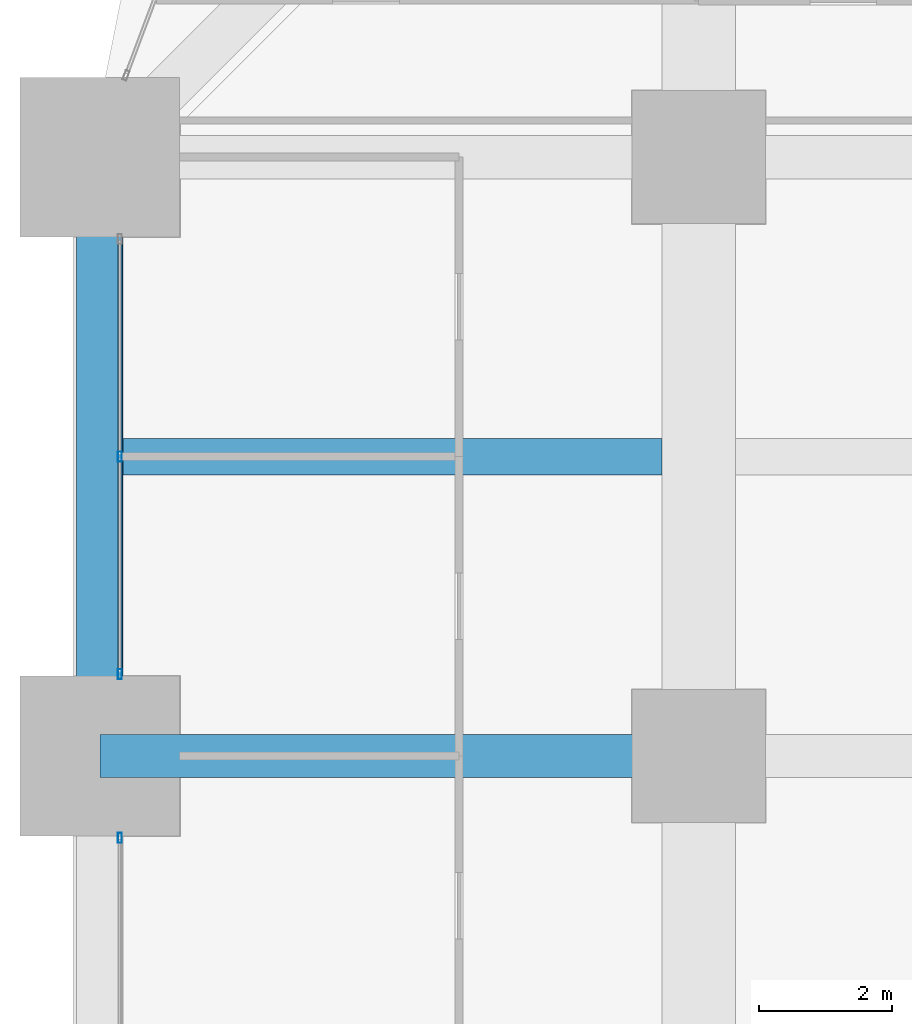
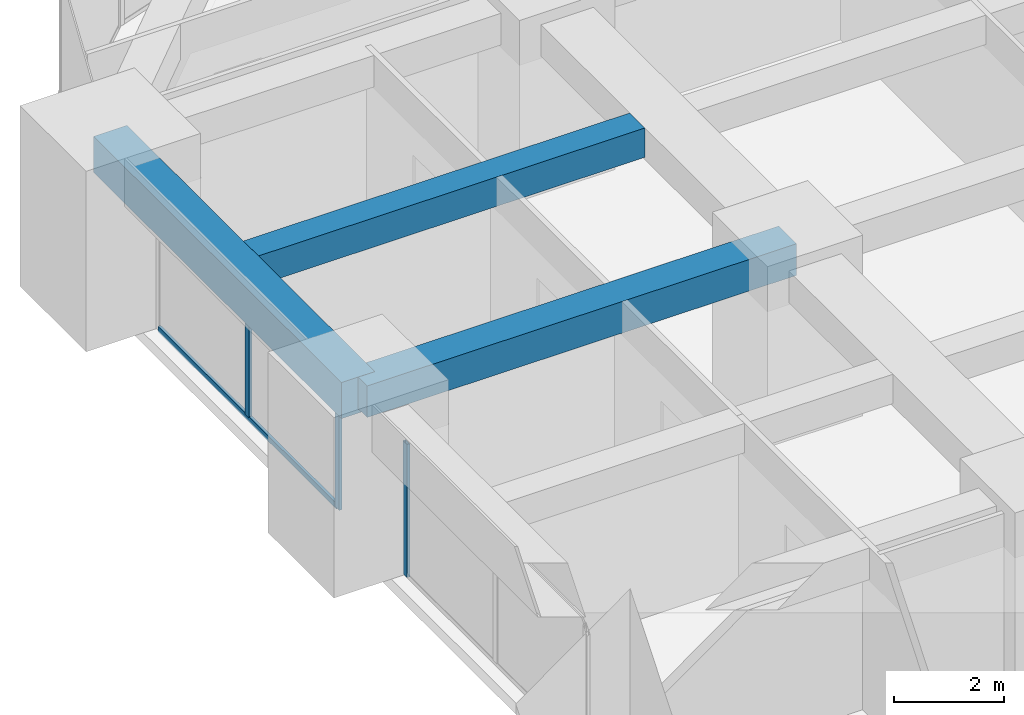
# One storey, part 11 of 41: 4 members, 3 beams, 2 elements without a shape of their own.
"""IFC4 building model written with IfcOpenShell, lengths in metres."""

from ifc_helpers import new_model, si_unit, direction, frame, origin, origin_2d, place, context, subcontext, project, spatial, rectangle, hollow_rectangle, extrude, material, material_profile, profile_set, type_object, element, aggregate, save


model = new_model("IFC4")

# Units and contexts
model_context = context("Model", 3, precision=1e-05, world=origin(), true_north=direction((0.0, 1.0)))
body_context = subcontext(model_context, "Body", "Model", "MODEL_VIEW")
ifc_project = project(units=[si_unit("LENGTHUNIT", "METRE"), si_unit("AREAUNIT", "SQUARE_METRE"), si_unit("VOLUMEUNIT", "CUBIC_METRE"), si_unit("PLANEANGLEUNIT", "RADIAN"), si_unit("MASSUNIT", "GRAM", prefix="KILO")], contexts=[model_context])

# Site, building, storey
site_placement = place(None, origin())
site = spatial("IfcSite", under=ifc_project, at=site_placement, CompositionType="ELEMENT")
building_placement = place(site_placement, origin())
building = spatial("IfcBuilding", under=site, at=building_placement, Name="Zorevar Civic Tower", CompositionType="ELEMENT")
storey_placement = place(building_placement, frame((0.0, 0.0, 109.0)))
storey = spatial("IfcBuildingStorey", under=building, at=storey_placement, Name="L26", CompositionType="ELEMENT", Elevation=109.0)

# Beams
ifc_material_1 = material(Name="Concrete C50/60", Category="concrete")
ifc_material_profile_1 = material_profile(ifc_material_1, rectangle(XDim=0.550048828125, YDim=0.64990234375, at=origin_2d()), Name="RC 550x650")
ifc_profile_set_1 = profile_set([ifc_material_profile_1], Name="Concrete C50/60")
beam_type_1 = type_object("IfcBeamType", Name="Beam RC 550x650", PredefinedType="BEAM", material=ifc_profile_set_1)
beam_1_placement = place(storey_placement, frame((0.35009765625, 31.5, 3.425048828125), z_axis=(1.0, 0.0, 0.0), x_axis=(0.0, 1.0, 0.0)))
element("IfcBeam", 1, at=beam_1_placement, inside=storey, type_object=beam_type_1, Name="Secondary beam L27", PredefinedType="BEAM", context=body_context, shape_type="SweptSolid", body=[
    extrude(rectangle(XDim=0.550048828125, YDim=0.64990234375, at=origin_2d()), origin(), (0.0, 0.0, 1.0), 8.099853515625),
])
ifc_material_2 = material(Name="Concrete C50/60", Category="concrete")
ifc_material_profile_2 = material_profile(ifc_material_2, rectangle(XDim=0.64990234375, YDim=0.699951171875, at=origin_2d()), Name="RC 650x700")
ifc_profile_set_2 = profile_set([ifc_material_profile_2], Name="Concrete C50/60")
beam_type_2 = type_object("IfcBeamType", Name="Beam RC 650x700", PredefinedType="BEAM", material=ifc_profile_set_2)
beam_2_placement = place(storey_placement, frame((0.0, 27.0, 3.39990234375), z_axis=(1.0, 0.0, 0.0), x_axis=(0.0, 1.0, 0.0)))
element("IfcBeam", 2, at=beam_2_placement, inside=storey, type_object=beam_type_2, Name="Girder L27", PredefinedType="BEAM", context=body_context, shape_type="SweptSolid", body=[
    extrude(rectangle(XDim=0.64990234375, YDim=0.699951171875, at=origin_2d()), origin(), (0.0, 0.0, 1.0), 9.0),
])

# Curtain wall, member
ifc_material_3 = material(Name="Dark grey solar-control glass in black aluminium frame", Category="aluminium")
curtain_wall_type = type_object("IfcCurtainWallType", Name="Curtain wall CW3 mid zone", PredefinedType="NOTDEFINED", material=ifc_material_3)
curtain_wall_1_placement = place(storey_placement, origin())
curtain_wall_1 = element("IfcCurtainWall", 3, at=curtain_wall_1_placement, inside=storey, type_object=curtain_wall_type, Name="CW3 L26", PredefinedType="NOTDEFINED")
ifc_material_4 = material(Name="Aluminium, black anodised", Category="aluminium")
ifc_material_profile_3 = material_profile(ifc_material_4, hollow_rectangle(XDim=0.06005859375, YDim=0.14990234375, WallThickness=0.00390625, at=origin_2d()), Name="AL 150x60x4")
ifc_profile_set_3 = profile_set([ifc_material_profile_3], Name="Aluminium, black anodised")
member_type_1 = type_object("IfcMemberType", Name="CW3 mullion AL 150x60x4", PredefinedType="MULLION", material=ifc_profile_set_3)
member_1_placement = place(storey_placement, frame((0.300048828125, 25.77001953125, 0.0), z_axis=(0.0, 0.0, 1.0), x_axis=(-1.0, 0.0, 0.0)))
member_1 = element("IfcMember", 4, at=member_1_placement, type_object=member_type_1, Name="CW3 mullion 3", PredefinedType="MULLION", context=body_context, shape_type="SweptSolid", body=[
    extrude(hollow_rectangle(XDim=0.06005859375, YDim=0.14990234375, WallThickness=0.00390625, at=origin_2d()), origin(), (0.0, 0.0, 1.0), 2.949951171875),
])
aggregate(curtain_wall_1, [member_1])

# Curtain wall, members
curtain_wall_2_placement = place(storey_placement, origin())
curtain_wall_2 = element("IfcCurtainWall", 5, at=curtain_wall_2_placement, inside=storey, type_object=curtain_wall_type, Name="CW3 L26", PredefinedType="NOTDEFINED")
member_2_placement = place(storey_placement, frame((0.300048828125, 28.22998046875, 0.0), z_axis=(0.0, 0.0, 1.0), x_axis=(-1.0, 0.0, 0.0)))
member_2 = element("IfcMember", 6, at=member_2_placement, type_object=member_type_1, Name="CW3 mullion 1", PredefinedType="MULLION", context=body_context, shape_type="SweptSolid", body=[
    extrude(hollow_rectangle(XDim=0.06005859375, YDim=0.14990234375, WallThickness=0.00390625, at=origin_2d()), origin(), (0.0, 0.0, 1.0), 2.949951171875),
])
member_3_placement = place(storey_placement, frame((0.300048828125, 31.5, 0.06005859375), z_axis=(0.0, 0.0, 1.0), x_axis=(-1.0, 0.0, 0.0)))
member_3 = element("IfcMember", 7, at=member_3_placement, type_object=member_type_1, Name="CW3 mullion 2", PredefinedType="MULLION", context=body_context, shape_type="SweptSolid", body=[
    extrude(hollow_rectangle(XDim=0.06005859375, YDim=0.14990234375, WallThickness=0.00390625, at=origin_2d()), origin(), (0.0, 0.0, 1.0), 2.889892578125),
])
ifc_material_5 = material(Name="Aluminium, black anodised", Category="aluminium")
ifc_material_profile_4 = material_profile(ifc_material_5, hollow_rectangle(XDim=0.06005859375, YDim=0.1201171875, WallThickness=0.0029296875, at=origin_2d()), Name="AL 120x60x3")
ifc_profile_set_4 = profile_set([ifc_material_profile_4], Name="Aluminium, black anodised")
member_type_2 = type_object("IfcMemberType", Name="CW3 transom AL 120x60x3", PredefinedType="USERDEFINED", material=ifc_profile_set_4)
member_4_placement = place(storey_placement, frame((0.300048828125, 28.260009765625, 0.030029296875), z_axis=(0.0, 1.0, 0.0), x_axis=(-1.0, 0.0, 0.0)))
member_4 = element("IfcMember", 8, at=member_4_placement, type_object=member_type_2, Name="CW3 sill transom", ObjectType="TRANSOM", PredefinedType="USERDEFINED", context=body_context, shape_type="SweptSolid", body=[
    extrude(hollow_rectangle(XDim=0.06005859375, YDim=0.1201171875, WallThickness=0.0029296875, at=origin_2d()), origin(), (0.0, 0.0, 1.0), 6.47998046875),
])
aggregate(curtain_wall_2, [member_2, member_3, member_4])

# Beam
ifc_material_6 = material(Name="Concrete C50/60", Category="concrete")
ifc_material_profile_5 = material_profile(ifc_material_6, rectangle(XDim=0.699951171875, YDim=0.800048828125, at=origin_2d()), Name="RC 700x800")
ifc_profile_set_5 = profile_set([ifc_material_profile_5], Name="Concrete C50/60")
beam_type_3 = type_object("IfcBeamType", Name="Edge beam RC 700x800", PredefinedType="SPANDREL", material=ifc_profile_set_5)
beam_3_placement = place(storey_placement, frame((0.0, 27.0, 3.35009765625), z_axis=(0.0, 1.0, 0.0), x_axis=(-1.0, 0.0, 0.0)))
element("IfcBeam", 9, at=beam_3_placement, inside=storey, type_object=beam_type_3, Name="Edge beam L27", PredefinedType="SPANDREL", context=body_context, shape_type="SweptSolid", body=[
    extrude(rectangle(XDim=0.699951171875, YDim=0.800048828125, at=origin_2d()), origin(), (0.0, 0.0, 1.0), 9.0),
])

save(model, "model.ifc")
